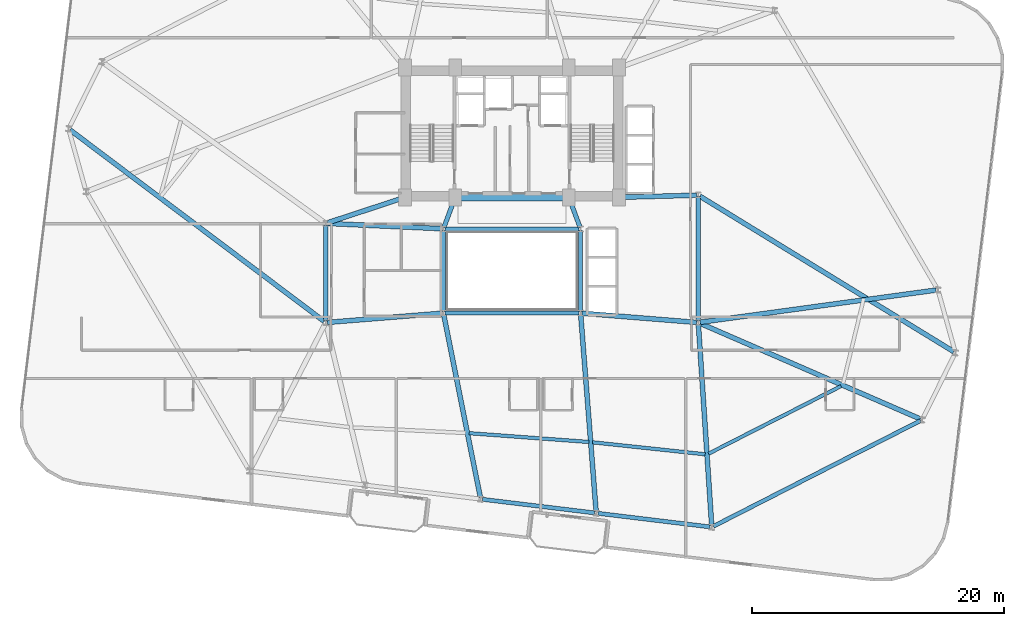
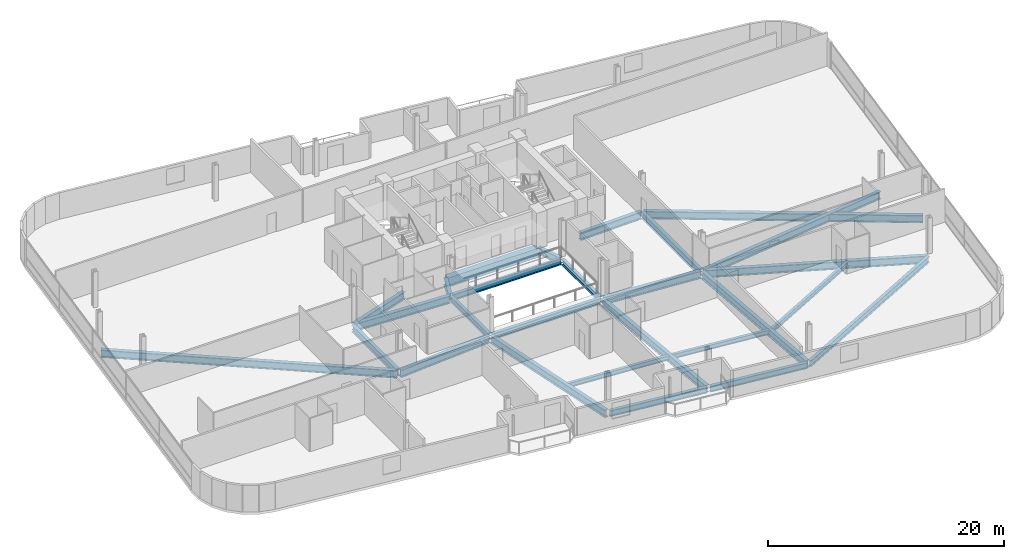
# One storey, part 7 of 25: 27 beams.
"""IFC4 building model written with IfcOpenShell, lengths in metres."""

from ifc_helpers import new_model, si_unit, direction, frame, origin, origin_2d, place, context, subcontext, project, spatial, rectangle, i_section, extrude, material, material_profile, profile_set, type_object, element, save


model = new_model("IFC4")

# Units and contexts
model_context = context("Model", 3, precision=1e-05, world=origin(), true_north=direction((0.0, 1.0)))
body_context = subcontext(model_context, "Body", "Model", "MODEL_VIEW")
ifc_project = project(units=[si_unit("LENGTHUNIT", "METRE"), si_unit("AREAUNIT", "SQUARE_METRE"), si_unit("VOLUMEUNIT", "CUBIC_METRE"), si_unit("PLANEANGLEUNIT", "RADIAN"), si_unit("MASSUNIT", "GRAM", prefix="KILO")], contexts=[model_context])

# Site, building, storey
site_placement = place(None, origin())
site = spatial("IfcSite", under=ifc_project, at=site_placement, CompositionType="ELEMENT")
building_placement = place(site_placement, origin())
building = spatial("IfcBuilding", under=site, at=building_placement, Name="Varnelok Gate Tower", CompositionType="ELEMENT")
storey_placement = place(building_placement, frame((0.0, 0.0, 140.199951171875)))
storey = spatial("IfcBuildingStorey", under=building, at=storey_placement, Name="L35", CompositionType="ELEMENT", Elevation=140.199951171875)

# Beams
ifc_material_1 = material(Name="Structural Steel ASTM A992 Grade 50", Category="steel")
ifc_material_profile_1 = material_profile(ifc_material_1, i_section(OverallWidth=0.280029296875, OverallDepth=0.462890625, WebThickness=0.0107421875, FlangeThickness=0.017333984375, FilletRadius=0.014892578125, at=origin_2d()), Name="W18X76")
ifc_profile_set_1 = profile_set([ifc_material_profile_1], Name="Structural Steel ASTM A992 Grade 50")
beam_type_1 = type_object("IfcBeamType", Name="BM-JST-W18X76", PredefinedType="JOIST", material=ifc_profile_set_1)
beam_1_placement = place(storey_placement, frame((35.7998046875, 10.0068359375, -0.4814453125), z_axis=(0.997322716873, -0.07312590792, 0.0), x_axis=(0.07312590792, 0.997322716873, 0.0)))
element("IfcBeam", 1, at=beam_1_placement, inside=storey, type_object=beam_type_1, Name="L35 Sector Floor Joist 3", PredefinedType="JOIST", context=body_context, shape_type="SweptSolid", body=[
    extrude(i_section(OverallWidth=0.280029296875, OverallDepth=0.462890625, WebThickness=0.0107421875, FlangeThickness=0.017333984375, FilletRadius=0.014892578125, at=origin_2d()), origin(), (0.0, 0.0, 1.0), 9.53857421875),
])
beam_2_placement = place(storey_placement, frame((45.591552734375, 9.2841796875, -0.4814453125), z_axis=(0.994377390367, -0.105894313006, 0.0), x_axis=(0.105894313006, 0.994377390367, 0.0)))
element("IfcBeam", 2, at=beam_2_placement, inside=storey, type_object=beam_type_1, Name="L35 Sector Floor Joist 4", PredefinedType="JOIST", context=body_context, shape_type="SweptSolid", body=[
    extrude(i_section(OverallWidth=0.280029296875, OverallDepth=0.462890625, WebThickness=0.0107421875, FlangeThickness=0.017333984375, FilletRadius=0.014892578125, at=origin_2d()), origin(), (0.0, 0.0, 1.0), 9.0146484375),
])
beam_3_placement = place(storey_placement, frame((54.819091796875, 8.37841796875, -0.4814453125), z_axis=(0.890730311065, 0.454532191324, 0.0), x_axis=(-0.454532191324, 0.890730311065, 0.0)))
element("IfcBeam", 3, at=beam_3_placement, inside=storey, type_object=beam_type_1, Name="L35 Sector Floor Joist 5", PredefinedType="JOIST", context=body_context, shape_type="SweptSolid", body=[
    extrude(i_section(OverallWidth=0.280029296875, OverallDepth=0.462890625, WebThickness=0.0107421875, FlangeThickness=0.017333984375, FilletRadius=0.014892578125, at=origin_2d()), origin(), (0.0, 0.0, 1.0), 11.82470703125),
])
ifc_material_2 = material(Name="Concrete C60/75", Category="concrete")
ifc_material_profile_2 = material_profile(ifc_material_2, rectangle(XDim=0.60009765625, YDim=0.949951171875, at=origin_2d()), Name="RC950X600")
ifc_profile_set_2 = profile_set([ifc_material_profile_2], Name="Concrete C60/75")
beam_type_2 = type_object("IfcBeamType", Name="BM-LNT-RC950", PredefinedType="LINTEL", material=ifc_profile_set_2)
beam_4_placement = place(storey_placement, frame((34.800048828125, 28.75, -0.724853515625), z_axis=(1.0, 0.0, 0.0), x_axis=(0.0, 1.0, 0.0)))
element("IfcBeam", 4, at=beam_4_placement, inside=storey, type_object=beam_type_2, Name="L35 Core-Atrium Spine Beam 7", PredefinedType="LINTEL", context=body_context, shape_type="SweptSolid", body=[
    extrude(rectangle(XDim=0.60009765625, YDim=0.949951171875, at=origin_2d()), origin(), (0.0, 0.0, 1.0), 8.800048828125),
])
ifc_material_profile_3 = material_profile(ifc_material_1, i_section(OverallWidth=0.35498046875, OverallDepth=0.696044921875, WebThickness=0.015380859375, FlangeThickness=0.02490234375, FilletRadius=0.02001953125, at=origin_2d()), Name="W27X146")
ifc_profile_set_3 = profile_set([ifc_material_profile_3], Name="Structural Steel ASTM A992 Grade 50")
beam_type_3 = type_object("IfcBeamType", Name="BM-PRI-W27X146", PredefinedType="BEAM", material=ifc_profile_set_3)
for number, where, z_axis, x_axis, name in (
    (5, (33.791748046875, 26.362548828125, -0.597900390625), (0.348719329408, 0.937227202602, 0.0), (-0.937227202602, 0.348719329408, 0.0), "L35 Core-Atrium Spine Beam 12"),
    (6, (44.608154296875, 26.362548828125, -0.597900390625), (-0.348719329408, 0.937227202602, 0.0), (-0.937227202602, -0.348719329408, 0.0), "L35 Core-Atrium Spine Beam 13"),
):
    element("IfcBeam", number, at=place(storey_placement, frame(where, z_axis=z_axis, x_axis=x_axis)), inside=storey, type_object=beam_type_3, Name=name, PredefinedType="BEAM", context=body_context, shape_type="SweptSolid", body=[
        extrude(i_section(OverallWidth=0.35498046875, OverallDepth=0.696044921875, WebThickness=0.015380859375, FlangeThickness=0.02490234375, FilletRadius=0.02001953125, at=origin_2d()), origin(), (0.0, 0.0, 1.0), 2.42724609375),
    ])
beam_5_placement = place(storey_placement, frame((24.39990234375, 18.919921875, -0.597900390625), z_axis=(0.0, 1.0, 0.0), x_axis=(-1.0, 0.0, 0.0)))
element("IfcBeam", 7, at=beam_5_placement, inside=storey, type_object=beam_type_3, Name="L35 Core-Atrium Spine Beam 16", PredefinedType="BEAM", context=body_context, shape_type="SweptSolid", body=[
    extrude(i_section(OverallWidth=0.35498046875, OverallDepth=0.696044921875, WebThickness=0.015380859375, FlangeThickness=0.02490234375, FilletRadius=0.02001953125, at=origin_2d()), origin(), (0.0, 0.0, 1.0), 7.64013671875),
])
beam_6_placement = place(storey_placement, frame((54.0, 18.919921875, -0.597900390625), z_axis=(0.0, 1.0, 0.0), x_axis=(-1.0, 0.0, 0.0)))
element("IfcBeam", 8, at=beam_6_placement, inside=storey, type_object=beam_type_3, Name="L35 Core-Atrium Spine Beam 20", PredefinedType="BEAM", context=body_context, shape_type="SweptSolid", body=[
    extrude(i_section(OverallWidth=0.35498046875, OverallDepth=0.696044921875, WebThickness=0.015380859375, FlangeThickness=0.02490234375, FilletRadius=0.02001953125, at=origin_2d()), origin(), (0.0, 0.0, 1.0), 9.880126953125),
])
ifc_material_profile_4 = material_profile(ifc_material_1, i_section(OverallWidth=0.381103515625, OverallDepth=0.77294921875, WebThickness=0.0166015625, FlangeThickness=0.027099609375, FilletRadius=0.02197265625, at=origin_2d()), Name="W30X173")
ifc_profile_set_4 = profile_set([ifc_material_profile_4], Name="Structural Steel ASTM A992 Grade 50")
beam_type_4 = type_object("IfcBeamType", Name="BM-PRI-W30X173", PredefinedType="BEAM", material=ifc_profile_set_4)
beam_7_placement = place(storey_placement, frame((24.51953125, 18.8095703125, -0.636474609375), z_axis=(0.996799206292, 0.07994587128, 0.0), x_axis=(-0.07994587128, 0.996799206292, 0.0)))
element("IfcBeam", 9, at=beam_7_placement, inside=storey, type_object=beam_type_4, Name="L35 Core-Atrium Spine Beam 14", PredefinedType="BEAM", context=body_context, shape_type="SweptSolid", body=[
    extrude(i_section(OverallWidth=0.381103515625, OverallDepth=0.77294921875, WebThickness=0.0166015625, FlangeThickness=0.027099609375, FilletRadius=0.02197265625, at=origin_2d()), origin(), (0.0, 0.0, 1.0), 9.14013671875),
])
beam_8_placement = place(storey_placement, frame((24.52001953125, 26.674560546875, -0.636474609375), z_axis=(0.99894427814, -0.045938319209, 0.0), x_axis=(0.045938319209, 0.99894427814, 0.0)))
element("IfcBeam", 10, at=beam_8_placement, inside=storey, type_object=beam_type_4, Name="L35 Core-Atrium Spine Beam 15", PredefinedType="BEAM", context=body_context, shape_type="SweptSolid", body=[
    extrude(i_section(OverallWidth=0.381103515625, OverallDepth=0.77294921875, WebThickness=0.0166015625, FlangeThickness=0.027099609375, FilletRadius=0.02197265625, at=origin_2d()), origin(), (0.0, 0.0, 1.0), 9.11962890625),
])
beam_9_placement = place(storey_placement, frame((24.513916015625, 26.717529296875, -0.636474609375), z_axis=(0.950041943788, 0.312122259768, 0.0), x_axis=(-0.312122259768, 0.950041943788, 0.0)))
element("IfcBeam", 11, at=beam_9_placement, inside=storey, type_object=beam_type_4, Name="L35 Core-Atrium Spine Beam 17", PredefinedType="BEAM", context=body_context, shape_type="SweptSolid", body=[
    extrude(i_section(OverallWidth=0.381103515625, OverallDepth=0.77294921875, WebThickness=0.0166015625, FlangeThickness=0.027099609375, FilletRadius=0.02197265625, at=origin_2d()), origin(), (0.0, 0.0, 1.0), 6.391357421875),
])
beam_10_placement = place(storey_placement, frame((44.76953125, 19.540283203125, -0.636474609375), z_axis=(0.996799206292, -0.07994587128, 0.0), x_axis=(0.07994587128, 0.996799206292, 0.0)))
element("IfcBeam", 12, at=beam_10_placement, inside=storey, type_object=beam_type_4, Name="L35 Core-Atrium Spine Beam 18", PredefinedType="BEAM", context=body_context, shape_type="SweptSolid", body=[
    extrude(i_section(OverallWidth=0.381103515625, OverallDepth=0.77294921875, WebThickness=0.0166015625, FlangeThickness=0.027099609375, FilletRadius=0.02197265625, at=origin_2d()), origin(), (0.0, 0.0, 1.0), 9.14013671875),
])
beam_11_placement = place(storey_placement, frame((47.820068359375, 28.753173828125, -0.636474609375), z_axis=(0.999635880609, 0.026983443053, 0.0), x_axis=(-0.026983443053, 0.999635880609, 0.0)))
element("IfcBeam", 13, at=beam_11_placement, inside=storey, type_object=beam_type_4, Name="L35 Core-Atrium Spine Beam 19", PredefinedType="BEAM", context=body_context, shape_type="SweptSolid", body=[
    extrude(i_section(OverallWidth=0.381103515625, OverallDepth=0.77294921875, WebThickness=0.0166015625, FlangeThickness=0.027099609375, FilletRadius=0.02197265625, at=origin_2d()), origin(), (0.0, 0.0, 1.0), 6.06201171875),
])
beam_12_placement = place(storey_placement, frame((33.779541015625, 19.40283203125, -0.636474609375), z_axis=(0.1964593524, -0.980511969766, 0.0), x_axis=(0.980511969766, 0.1964593524, 0.0)))
element("IfcBeam", 14, at=beam_12_placement, inside=storey, type_object=beam_type_4, Name="L35 Radial Floor Girder 3", PredefinedType="BEAM", context=body_context, shape_type="SweptSolid", body=[
    extrude(i_section(OverallWidth=0.381103515625, OverallDepth=0.77294921875, WebThickness=0.0166015625, FlangeThickness=0.027099609375, FilletRadius=0.02197265625, at=origin_2d()), origin(), (0.0, 0.0, 1.0), 14.773193359375),
])
beam_13_placement = place(storey_placement, frame((44.66162109375, 19.400390625, -0.636474609375), z_axis=(0.078042805068, -0.996950009066, 0.0), x_axis=(0.996950009066, 0.078042805068, 0.0)))
element("IfcBeam", 15, at=beam_13_placement, inside=storey, type_object=beam_type_4, Name="L35 Radial Floor Girder 4", PredefinedType="BEAM", context=body_context, shape_type="SweptSolid", body=[
    extrude(i_section(OverallWidth=0.381103515625, OverallDepth=0.77294921875, WebThickness=0.0166015625, FlangeThickness=0.027099609375, FilletRadius=0.02197265625, at=origin_2d()), origin(), (0.0, 0.0, 1.0), 15.641357421875),
])
beam_14_placement = place(storey_placement, frame((54.010009765625, 18.650390625, -0.636474609375), z_axis=(0.066089376194, -0.997813707239, 0.0), x_axis=(0.997813707239, 0.066089376194, 0.0)))
element("IfcBeam", 16, at=beam_14_placement, inside=storey, type_object=beam_type_4, Name="L35 Radial Floor Girder 5", PredefinedType="BEAM", context=body_context, shape_type="SweptSolid", body=[
    extrude(i_section(OverallWidth=0.381103515625, OverallDepth=0.77294921875, WebThickness=0.0166015625, FlangeThickness=0.027099609375, FilletRadius=0.02197265625, at=origin_2d()), origin(), (0.0, 0.0, 1.0), 15.99169921875),
])
beam_15_placement = place(storey_placement, frame((54.1376953125, 18.740234375, -0.636474609375), z_axis=(0.917259371715, -0.398290402848, 0.0), x_axis=(0.398290402848, 0.917259371715, 0.0)))
element("IfcBeam", 17, at=beam_15_placement, inside=storey, type_object=beam_type_4, Name="L35 Radial Floor Girder 6", PredefinedType="BEAM", context=body_context, shape_type="SweptSolid", body=[
    extrude(i_section(OverallWidth=0.381103515625, OverallDepth=0.77294921875, WebThickness=0.0166015625, FlangeThickness=0.027099609375, FilletRadius=0.02197265625, at=origin_2d()), origin(), (0.0, 0.0, 1.0), 19.09765625),
])
beam_16_placement = place(storey_placement, frame((54.1279296875, 28.841796875, -0.636474609375), z_axis=(0.852781066678, -0.522268563399, 0.0), x_axis=(0.522268563399, 0.852781066678, 0.0)))
element("IfcBeam", 18, at=beam_16_placement, inside=storey, type_object=beam_type_4, Name="L35 Radial Floor Girder 7", PredefinedType="BEAM", context=body_context, shape_type="SweptSolid", body=[
    extrude(i_section(OverallWidth=0.381103515625, OverallDepth=0.77294921875, WebThickness=0.0166015625, FlangeThickness=0.027099609375, FilletRadius=0.02197265625, at=origin_2d()), origin(), (0.0, 0.0, 1.0), 23.663330078125),
])
beam_17_placement = place(storey_placement, frame((54.148681640625, 18.8203125, -0.636474609375), z_axis=(0.990818465143, 0.135198998265, 0.0), x_axis=(-0.135198998265, 0.990818465143, 0.0)))
element("IfcBeam", 19, at=beam_17_placement, inside=storey, type_object=beam_type_4, Name="L35 Radial Floor Girder 8", PredefinedType="BEAM", context=body_context, shape_type="SweptSolid", body=[
    extrude(i_section(OverallWidth=0.381103515625, OverallDepth=0.77294921875, WebThickness=0.0166015625, FlangeThickness=0.027099609375, FilletRadius=0.02197265625, at=origin_2d()), origin(), (0.0, 0.0, 1.0), 18.921142578125),
])
beam_18_placement = place(storey_placement, frame((24.2802734375, 18.890380859375, -0.636474609375), z_axis=(-0.798720202065, 0.601702616591, 0.0), x_axis=(-0.601702616591, -0.798720202065, 0.0)))
element("IfcBeam", 20, at=beam_18_placement, inside=storey, type_object=beam_type_4, Name="L35 Radial Floor Girder 15", PredefinedType="BEAM", context=body_context, shape_type="SweptSolid", body=[
    extrude(i_section(OverallWidth=0.381103515625, OverallDepth=0.77294921875, WebThickness=0.0166015625, FlangeThickness=0.027099609375, FilletRadius=0.02197265625, at=origin_2d()), origin(), (0.0, 0.0, 1.0), 25.285400390625),
])
ifc_material_profile_5 = material_profile(ifc_material_1, i_section(OverallWidth=0.323974609375, OverallDepth=0.611083984375, WebThickness=0.0126953125, FlangeThickness=0.01904296875, FilletRadius=0.01806640625, at=origin_2d()), Name="W24X104")
ifc_profile_set_5 = profile_set([ifc_material_profile_5], Name="Structural Steel ASTM A992 Grade 50")
beam_type_5 = type_object("IfcBeamType", Name="BM-SPN-W24X104", PredefinedType="SPANDREL", material=ifc_profile_set_5)
for number, where, z_axis, x_axis, name in (
    (21, (33.8701171875, 19.550048828125, -0.555419921875), (1.0, 0.0, 0.0), (0.0, 1.0, 0.0), "L35 Core-Atrium Spine Beam 8"),
    (22, (33.8701171875, 26.25, -0.555419921875), (1.0, 0.0, 0.0), (0.0, 1.0, 0.0), "L35 Core-Atrium Spine Beam 9"),
):
    element("IfcBeam", number, at=place(storey_placement, frame(where, z_axis=z_axis, x_axis=x_axis)), inside=storey, type_object=beam_type_5, Name=name, PredefinedType="SPANDREL", context=body_context, shape_type="SweptSolid", body=[
        extrude(i_section(OverallWidth=0.323974609375, OverallDepth=0.611083984375, WebThickness=0.0126953125, FlangeThickness=0.01904296875, FilletRadius=0.01806640625, at=origin_2d()), origin(), (0.0, 0.0, 1.0), 10.659912109375),
    ])
for number, where, z_axis, x_axis, name in (
    (23, (33.75, 19.669921875, -0.555419921875), (0.0, 1.0, 0.0), (-1.0, 0.0, 0.0), "L35 Core-Atrium Spine Beam 10"),
    (24, (44.64990234375, 19.669921875, -0.555419921875), (0.0, 1.0, 0.0), (-1.0, 0.0, 0.0), "L35 Core-Atrium Spine Beam 11"),
):
    element("IfcBeam", number, at=place(storey_placement, frame(where, z_axis=z_axis, x_axis=x_axis)), inside=storey, type_object=beam_type_5, Name=name, PredefinedType="SPANDREL", context=body_context, shape_type="SweptSolid", body=[
        extrude(i_section(OverallWidth=0.323974609375, OverallDepth=0.611083984375, WebThickness=0.0126953125, FlangeThickness=0.01904296875, FilletRadius=0.01806640625, at=origin_2d()), origin(), (0.0, 0.0, 1.0), 6.4599609375),
    ])
for number, where, z_axis, x_axis, name in (
    (25, (36.860107421875, 4.752197265625, -0.555419921875), (0.992734670707, -0.120324035735, 0.0), (0.120324035735, 0.992734670707, 0.0), "L35 Perimeter Spandrel Beam 3"),
    (26, (46.04296875, 3.638916015625, -0.555419921875), (0.992734670707, -0.120324035735, 0.0), (0.120324035735, 0.992734670707, 0.0), "L35 Perimeter Spandrel Beam 4"),
):
    element("IfcBeam", number, at=place(storey_placement, frame(where, z_axis=z_axis, x_axis=x_axis)), inside=storey, type_object=beam_type_5, Name=name, PredefinedType="SPANDREL", context=body_context, shape_type="SweptSolid", body=[
        extrude(i_section(OverallWidth=0.323974609375, OverallDepth=0.611083984375, WebThickness=0.0126953125, FlangeThickness=0.01904296875, FilletRadius=0.01806640625, at=origin_2d()), origin(), (0.0, 0.0, 1.0), 8.949951171875),
    ])
beam_19_placement = place(storey_placement, frame((55.21044921875, 2.612060546875, -0.555419921875), z_axis=(0.890721671543, 0.454549121486, 0.0), x_axis=(-0.454549121486, 0.890721671543, 0.0)))
element("IfcBeam", 27, at=beam_19_placement, inside=storey, type_object=beam_type_5, Name="L35 Perimeter Spandrel Beam 5", PredefinedType="SPANDREL", context=body_context, shape_type="SweptSolid", body=[
    extrude(i_section(OverallWidth=0.323974609375, OverallDepth=0.611083984375, WebThickness=0.0126953125, FlangeThickness=0.01904296875, FilletRadius=0.01806640625, at=origin_2d()), origin(), (0.0, 0.0, 1.0), 18.466796875),
])

save(model, "model.ifc")
